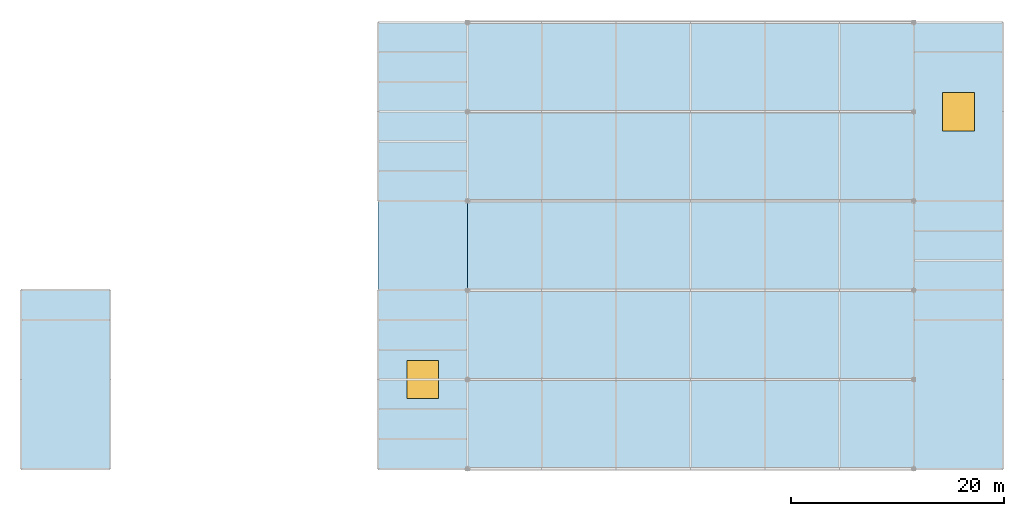
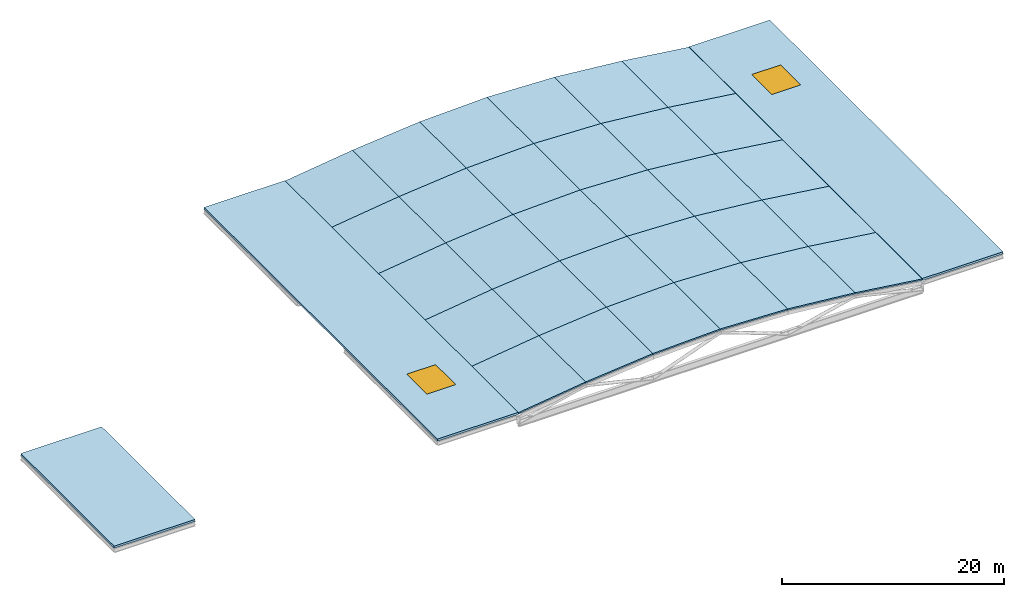
# One storey, part 7 of 11: 33 slabs, 2 windows, 2 openings, 6 elements without a shape of their own.
"""IFC4 building model written with IfcOpenShell, lengths in metres."""

from ifc_helpers import new_model, si_unit, direction, frame, origin, origin_2d, place, context, subcontext, project, spatial, polyline, rectangle, outline, extrude, material, layer, layer_set, type_object, element, fill, aggregate, save


model = new_model("IFC4")

# Units and contexts
model_context = context("Model", 3, precision=1e-05, world=origin(), true_north=direction((0.0, 1.0)))
body_context = subcontext(model_context, "Body", "Model", "MODEL_VIEW")
ifc_project = project(units=[si_unit("LENGTHUNIT", "METRE"), si_unit("AREAUNIT", "SQUARE_METRE"), si_unit("VOLUMEUNIT", "CUBIC_METRE"), si_unit("PLANEANGLEUNIT", "RADIAN"), si_unit("MASSUNIT", "GRAM", prefix="KILO"), si_unit("THERMODYNAMICTEMPERATUREUNIT", "KELVIN"), si_unit("POWERUNIT", "WATT")], contexts=[model_context])

# Site, building, storey
site_placement = place(None, origin())
site = spatial("IfcSite", under=ifc_project, at=site_placement, CompositionType="ELEMENT")
building_placement = place(site_placement, origin())
building = spatial("IfcBuilding", under=site, at=building_placement, Name="Tembeka Court Mobility Hub", CompositionType="ELEMENT")
storey_placement = place(building_placement, frame((0.0, 0.0, 28.800048828125)))
storey = spatial("IfcBuildingStorey", under=building, at=storey_placement, Name="RF", CompositionType="ELEMENT", Elevation=28.800048828125)

# Slab
ifc_material_1 = material(Name="Concrete C40/50", Category="concrete")
ifc_layer_1 = layer(ifc_material_1, 0.22998046875)
ifc_layer_set_1 = layer_set([ifc_layer_1], Name="Concrete C40/50")
slab_type_1 = type_object("IfcSlabType", Name="SL-RF01", PredefinedType="ROOF", material=ifc_layer_set_1)
slab_1_placement = place(storey_placement, frame((0.0, 0.0, -0.22998046875)))
element("IfcSlab", 1, at=slab_1_placement, inside=storey, type_object=slab_type_1, Name="RF K1 stair-and-lift overrun roof slab", PredefinedType="ROOF", context=body_context, shape_type="SweptSolid", body=[
    extrude(outline(polyline([(0.0, 38.39990234375), (8.39990234375, 38.39990234375), (8.39990234375, 55.199951171875), (0.0, 55.199951171875), (0.0, 38.39990234375)])), origin(), (0.0, 0.0, 1.0), 0.22998046875),
])

# Slab, opening, window
slab_2_placement = place(storey_placement, frame((0.0, 0.0, -0.22998046875)))
slab_2 = element("IfcSlab", 2, at=slab_2_placement, inside=storey, type_object=slab_type_1, Name="RF sports pavilion west end-bay roof slab", PredefinedType="ROOF", context=body_context, shape_type="SweptSolid", body=[
    extrude(outline(polyline([(33.60009765625, 38.39990234375), (42.0, 38.39990234375), (42.0, 80.39990234375), (33.60009765625, 80.39990234375), (33.60009765625, 38.39990234375)])), origin(), (0.0, 0.0, 1.0), 0.22998046875),
])
opening_1_placement = place(slab_2_placement, frame((37.800048828125, 46.800048828125, -0.010009765625)))
opening_1 = element("IfcOpeningElement", 3, at=opening_1_placement, cuts=slab_2, Name="Opening SK05", PredefinedType="OPENING", context=body_context, shape_type="SweptSolid", body=[
    extrude(rectangle(XDim=3.0, YDim=3.60009765625, at=origin_2d()), origin(), (0.0, 0.0, 1.0), 0.25),
])
ifc_material_2 = material(Name="Laminated solar-control low-E glass", Category="glass")
window_type = type_object("IfcWindowType", Name="WN-SK05", PartitioningType="SINGLE_PANEL", PredefinedType="SKYLIGHT", material=ifc_material_2)
window_1_placement = place(opening_1_placement, frame((0.0, 0.0, 0.18994140625)))
window_1 = element("IfcWindow", 4, at=window_1_placement, inside=storey, type_object=window_type, Name="Roof skylight SK05-06", OverallHeight=3.60009765625, OverallWidth=3.0, PartitioningType="SINGLE_PANEL", PredefinedType="SKYLIGHT", context=body_context, shape_type="SweptSolid", body=[
    extrude(rectangle(XDim=3.0, YDim=3.60009765625, at=origin_2d()), origin(), (0.0, 0.0, 1.0), 0.050048828125),
])
fill(opening_1, window_1)

slab_3_placement = place(storey_placement, frame((0.0, 0.0, -0.22998046875)))
slab_3 = element("IfcSlab", 5, at=slab_3_placement, inside=storey, type_object=slab_type_1, Name="RF sports pavilion east core roof slab", PredefinedType="ROOF", context=body_context, shape_type="SweptSolid", body=[
    extrude(outline(polyline([(84.0, 38.39990234375), (92.39990234375, 38.39990234375), (92.39990234375, 80.39990234375), (84.0, 80.39990234375), (84.0, 38.39990234375)])), origin(), (0.0, 0.0, 1.0), 0.22998046875),
])
opening_2_placement = place(slab_3_placement, frame((88.199951171875, 72.0, -0.010009765625)))
opening_2 = element("IfcOpeningElement", 6, at=opening_2_placement, cuts=slab_3, Name="Opening SK05", PredefinedType="OPENING", context=body_context, shape_type="SweptSolid", body=[
    extrude(rectangle(XDim=3.0, YDim=3.60009765625, at=origin_2d()), origin(), (0.0, 0.0, 1.0), 0.25),
])
window_2_placement = place(opening_2_placement, frame((0.0, 0.0, 0.18994140625)))
window_2 = element("IfcWindow", 7, at=window_2_placement, inside=storey, type_object=window_type, Name="Roof skylight SK05-07", OverallHeight=3.60009765625, OverallWidth=3.0, PartitioningType="SINGLE_PANEL", PredefinedType="SKYLIGHT", context=body_context, shape_type="SweptSolid", body=[
    extrude(rectangle(XDim=3.0, YDim=3.60009765625, at=origin_2d()), origin(), (0.0, 0.0, 1.0), 0.050048828125),
])
fill(opening_2, window_2)

# Roof, slab
ifc_material_3 = material(Name="Steel S355", Category="steel")
ifc_layer_2 = layer(ifc_material_3, 0.14990234375)
ifc_layer_set_2 = layer_set([ifc_layer_2], Name="Steel S355")
roof_type = type_object("IfcRoofType", Name="RF-VAULT01", PredefinedType="BARREL_ROOF", material=ifc_layer_set_2)
roof_1_placement = place(storey_placement, origin())
roof_1 = element("IfcRoof", 8, at=roof_1_placement, inside=storey, type_object=roof_type, Name="Rooftop sports pavilion barrel-arch roof bay 1", PredefinedType="BARREL_ROOF")
ifc_material_4 = material(Name="Insulated acoustic steel-concrete composite deck C40/50", Category="concrete")
ifc_layer_3 = layer(ifc_material_4, 0.14990234375)
ifc_layer_set_3 = layer_set([ifc_layer_3], Name="Insulated acoustic steel-concrete composite deck C40/50")
slab_type_2 = type_object("IfcSlabType", Name="SL-RF02", PredefinedType="ROOF", material=ifc_layer_set_3)
slab_4_placement = place(storey_placement, frame((42.0, 38.39990234375, -0.0400390625), z_axis=(-0.131010824957, 0.0, 0.991380937755), x_axis=(0.991380937755, 0.0, 0.131010824957)))
slab_4 = element("IfcSlab", 9, at=slab_4_placement, type_object=slab_type_2, Name="Sports hall barrel-vault roof facet 1-1", PredefinedType="ROOF", context=body_context, shape_type="SweptSolid", body=[
    extrude(outline(polyline([(0.0, 0.0), (7.060857974383527, 0.0), (7.060857974383527, 8.400146484375), (0.0, 8.400146484375), (0.0, 0.0)])), origin(), (0.0, 0.0, -1.0), 0.14990234375),
])

roof_2_placement = place(storey_placement, origin())
roof_2 = element("IfcRoof", 10, at=roof_2_placement, inside=storey, type_object=roof_type, Name="Rooftop sports pavilion barrel-arch roof bay 2", PredefinedType="BARREL_ROOF")
slab_5_placement = place(storey_placement, frame((49.0, 38.39990234375, 0.885009765625), z_axis=(-0.096265393497, 0.0, 0.995355702257), x_axis=(0.995355702257, 0.0, 0.096265393497)))
slab_5 = element("IfcSlab", 11, at=slab_5_placement, type_object=slab_type_2, Name="Sports hall barrel-vault roof facet 1-2", PredefinedType="ROOF", context=body_context, shape_type="SweptSolid", body=[
    extrude(outline(polyline([(0.0, 0.0), (7.032661775212502, 0.0), (7.032661775212502, 8.400146484375002), (0.0, 8.400146484375002), (0.0, 0.0)])), origin(), (0.0, 0.0, -1.0), 0.14990234375),
])

roof_3_placement = place(storey_placement, origin())
roof_3 = element("IfcRoof", 12, at=roof_3_placement, inside=storey, type_object=roof_type, Name="Rooftop sports pavilion barrel-arch roof bay 3", PredefinedType="BARREL_ROOF")
slab_6_placement = place(storey_placement, frame((56.0, 38.39990234375, 1.56201171875), z_axis=(-0.035413041494, 0.0, 0.999372761532), x_axis=(0.999372761532, 0.0, 0.035413041494)))
slab_6 = element("IfcSlab", 13, at=slab_6_placement, type_object=slab_type_2, Name="Sports hall barrel-vault roof facet 1-3", PredefinedType="ROOF", context=body_context, shape_type="SweptSolid", body=[
    extrude(outline(polyline([(0.0, 0.0), (7.004393425001003, 0.0), (7.004393425001003, 8.400146484375), (0.0, 8.400146484375), (0.0, 0.0)])), origin(), (0.0, 0.0, -1.0), 0.14990234375),
])

roof_4_placement = place(storey_placement, origin())
roof_4 = element("IfcRoof", 14, at=roof_4_placement, inside=storey, type_object=roof_type, Name="Rooftop sports pavilion barrel-arch roof bay 4", PredefinedType="BARREL_ROOF")
slab_7_placement = place(storey_placement, frame((63.0, 38.39990234375, 1.81005859375), z_axis=(0.035413041494, 0.0, 0.999372761532), x_axis=(0.999372761532, 0.0, -0.035413041494)))
slab_7 = element("IfcSlab", 15, at=slab_7_placement, type_object=slab_type_2, Name="Sports hall barrel-vault roof facet 1-4", PredefinedType="ROOF", context=body_context, shape_type="SweptSolid", body=[
    extrude(outline(polyline([(0.0, 0.0), (7.004393425001003, 0.0), (7.004393425001003, 8.400146484375), (0.0, 8.400146484375), (0.0, 0.0)])), origin(), (0.0, 0.0, -1.0), 0.14990234375),
])

roof_5_placement = place(storey_placement, origin())
roof_5 = element("IfcRoof", 16, at=roof_5_placement, inside=storey, type_object=roof_type, Name="Rooftop sports pavilion barrel-arch roof bay 5", PredefinedType="BARREL_ROOF")
slab_8_placement = place(storey_placement, frame((70.0, 38.39990234375, 1.56201171875), z_axis=(0.096265393497, 0.0, 0.995355702257), x_axis=(0.995355702257, 0.0, -0.096265393497)))
slab_8 = element("IfcSlab", 17, at=slab_8_placement, type_object=slab_type_2, Name="Sports hall barrel-vault roof facet 1-5", PredefinedType="ROOF", context=body_context, shape_type="SweptSolid", body=[
    extrude(outline(polyline([(0.0, 0.0), (7.032661775212502, 0.0), (7.032661775212502, 8.400146484375002), (0.0, 8.400146484375002), (0.0, 0.0)])), origin(), (0.0, 0.0, -1.0), 0.14990234375),
])

roof_6_placement = place(storey_placement, origin())
roof_6 = element("IfcRoof", 18, at=roof_6_placement, inside=storey, type_object=roof_type, Name="Rooftop sports pavilion barrel-arch roof bay 6", PredefinedType="BARREL_ROOF")
slab_9_placement = place(storey_placement, frame((77.0, 38.39990234375, 0.885009765625), z_axis=(0.131010824957, 0.0, 0.991380937755), x_axis=(0.991380937755, 0.0, -0.131010824957)))
slab_9 = element("IfcSlab", 19, at=slab_9_placement, type_object=slab_type_2, Name="Sports hall barrel-vault roof facet 1-6", PredefinedType="ROOF", context=body_context, shape_type="SweptSolid", body=[
    extrude(outline(polyline([(0.0, 0.0), (7.060857974383527, 0.0), (7.060857974383527, 8.400146484375), (0.0, 8.400146484375), (0.0, 0.0)])), origin(), (0.0, 0.0, -1.0), 0.14990234375),
])

# Slab
slab_10_placement = place(storey_placement, frame((42.0, 46.800048828125, -0.0400390625), z_axis=(-0.131010824957, 0.0, 0.991380937755), x_axis=(0.991380937755, 0.0, 0.131010824957)))
slab_10 = element("IfcSlab", 20, at=slab_10_placement, type_object=slab_type_2, Name="Sports hall barrel-vault roof facet 2-1", PredefinedType="ROOF", context=body_context, shape_type="SweptSolid", body=[
    extrude(outline(polyline([(0.0, 0.0), (7.060857974383527, 0.0), (7.060857974383527, 8.39990234375), (0.0, 8.39990234375), (0.0, 0.0)])), origin(), (0.0, 0.0, -1.0), 0.14990234375),
])

slab_11_placement = place(storey_placement, frame((49.0, 46.800048828125, 0.885009765625), z_axis=(-0.096265393497, 0.0, 0.995355702257), x_axis=(0.995355702257, 0.0, 0.096265393497)))
slab_11 = element("IfcSlab", 21, at=slab_11_placement, type_object=slab_type_2, Name="Sports hall barrel-vault roof facet 2-2", PredefinedType="ROOF", context=body_context, shape_type="SweptSolid", body=[
    extrude(outline(polyline([(0.0, 0.0), (7.032661775212502, 0.0), (7.032661775212502, 8.399902343750002), (0.0, 8.399902343750002), (0.0, 0.0)])), origin(), (0.0, 0.0, -1.0), 0.14990234375),
])

slab_12_placement = place(storey_placement, frame((56.0, 46.800048828125, 1.56201171875), z_axis=(-0.035413041494, 0.0, 0.999372761532), x_axis=(0.999372761532, 0.0, 0.035413041494)))
slab_12 = element("IfcSlab", 22, at=slab_12_placement, type_object=slab_type_2, Name="Sports hall barrel-vault roof facet 2-3", PredefinedType="ROOF", context=body_context, shape_type="SweptSolid", body=[
    extrude(outline(polyline([(0.0, 0.0), (7.004393425001003, 0.0), (7.004393425001003, 8.39990234375), (0.0, 8.39990234375), (0.0, 0.0)])), origin(), (0.0, 0.0, -1.0), 0.14990234375),
])

slab_13_placement = place(storey_placement, frame((63.0, 46.800048828125, 1.81005859375), z_axis=(0.035413041494, 0.0, 0.999372761532), x_axis=(0.999372761532, 0.0, -0.035413041494)))
slab_13 = element("IfcSlab", 23, at=slab_13_placement, type_object=slab_type_2, Name="Sports hall barrel-vault roof facet 2-4", PredefinedType="ROOF", context=body_context, shape_type="SweptSolid", body=[
    extrude(outline(polyline([(0.0, 0.0), (7.004393425001003, 0.0), (7.004393425001003, 8.39990234375), (0.0, 8.39990234375), (0.0, 0.0)])), origin(), (0.0, 0.0, -1.0), 0.14990234375),
])

slab_14_placement = place(storey_placement, frame((70.0, 46.800048828125, 1.56201171875), z_axis=(0.096265393497, 0.0, 0.995355702257), x_axis=(0.995355702257, 0.0, -0.096265393497)))
slab_14 = element("IfcSlab", 24, at=slab_14_placement, type_object=slab_type_2, Name="Sports hall barrel-vault roof facet 2-5", PredefinedType="ROOF", context=body_context, shape_type="SweptSolid", body=[
    extrude(outline(polyline([(0.0, 0.0), (7.032661775212502, 0.0), (7.032661775212502, 8.399902343750002), (0.0, 8.399902343750002), (0.0, 0.0)])), origin(), (0.0, 0.0, -1.0), 0.14990234375),
])

slab_15_placement = place(storey_placement, frame((77.0, 46.800048828125, 0.885009765625), z_axis=(0.131010824957, 0.0, 0.991380937755), x_axis=(0.991380937755, 0.0, -0.131010824957)))
slab_15 = element("IfcSlab", 25, at=slab_15_placement, type_object=slab_type_2, Name="Sports hall barrel-vault roof facet 2-6", PredefinedType="ROOF", context=body_context, shape_type="SweptSolid", body=[
    extrude(outline(polyline([(0.0, 0.0), (7.060857974383527, 0.0), (7.060857974383527, 8.39990234375), (0.0, 8.39990234375), (0.0, 0.0)])), origin(), (0.0, 0.0, -1.0), 0.14990234375),
])

slab_16_placement = place(storey_placement, frame((42.0, 55.199951171875, -0.0400390625), z_axis=(-0.131010824957, 0.0, 0.991380937755), x_axis=(0.991380937755, 0.0, 0.131010824957)))
slab_16 = element("IfcSlab", 26, at=slab_16_placement, type_object=slab_type_2, Name="Sports hall barrel-vault roof facet 3-1", PredefinedType="ROOF", context=body_context, shape_type="SweptSolid", body=[
    extrude(outline(polyline([(0.0, 0.0), (7.060857974383527, 0.0), (7.060857974383527, 8.400146484375), (0.0, 8.400146484375), (0.0, 0.0)])), origin(), (0.0, 0.0, -1.0), 0.14990234375),
])

slab_17_placement = place(storey_placement, frame((49.0, 55.199951171875, 0.885009765625), z_axis=(-0.096265393497, 0.0, 0.995355702257), x_axis=(0.995355702257, 0.0, 0.096265393497)))
slab_17 = element("IfcSlab", 27, at=slab_17_placement, type_object=slab_type_2, Name="Sports hall barrel-vault roof facet 3-2", PredefinedType="ROOF", context=body_context, shape_type="SweptSolid", body=[
    extrude(outline(polyline([(0.0, 0.0), (7.032661775212502, 0.0), (7.032661775212502, 8.400146484375002), (0.0, 8.400146484375002), (0.0, 0.0)])), origin(), (0.0, 0.0, -1.0), 0.14990234375),
])

slab_18_placement = place(storey_placement, frame((56.0, 55.199951171875, 1.56201171875), z_axis=(-0.035413041494, 0.0, 0.999372761532), x_axis=(0.999372761532, 0.0, 0.035413041494)))
slab_18 = element("IfcSlab", 28, at=slab_18_placement, type_object=slab_type_2, Name="Sports hall barrel-vault roof facet 3-3", PredefinedType="ROOF", context=body_context, shape_type="SweptSolid", body=[
    extrude(outline(polyline([(0.0, 0.0), (7.004393425001003, 0.0), (7.004393425001003, 8.400146484375), (0.0, 8.400146484375), (0.0, 0.0)])), origin(), (0.0, 0.0, -1.0), 0.14990234375),
])

slab_19_placement = place(storey_placement, frame((63.0, 55.199951171875, 1.81005859375), z_axis=(0.035413041494, 0.0, 0.999372761532), x_axis=(0.999372761532, 0.0, -0.035413041494)))
slab_19 = element("IfcSlab", 29, at=slab_19_placement, type_object=slab_type_2, Name="Sports hall barrel-vault roof facet 3-4", PredefinedType="ROOF", context=body_context, shape_type="SweptSolid", body=[
    extrude(outline(polyline([(0.0, 0.0), (7.004393425001003, 0.0), (7.004393425001003, 8.400146484375), (0.0, 8.400146484375), (0.0, 0.0)])), origin(), (0.0, 0.0, -1.0), 0.14990234375),
])

slab_20_placement = place(storey_placement, frame((70.0, 55.199951171875, 1.56201171875), z_axis=(0.096265393497, 0.0, 0.995355702257), x_axis=(0.995355702257, 0.0, -0.096265393497)))
slab_20 = element("IfcSlab", 30, at=slab_20_placement, type_object=slab_type_2, Name="Sports hall barrel-vault roof facet 3-5", PredefinedType="ROOF", context=body_context, shape_type="SweptSolid", body=[
    extrude(outline(polyline([(0.0, 0.0), (7.032661775212502, 0.0), (7.032661775212502, 8.400146484375002), (0.0, 8.400146484375002), (0.0, 0.0)])), origin(), (0.0, 0.0, -1.0), 0.14990234375),
])

slab_21_placement = place(storey_placement, frame((77.0, 55.199951171875, 0.885009765625), z_axis=(0.131010824957, 0.0, 0.991380937755), x_axis=(0.991380937755, 0.0, -0.131010824957)))
slab_21 = element("IfcSlab", 31, at=slab_21_placement, type_object=slab_type_2, Name="Sports hall barrel-vault roof facet 3-6", PredefinedType="ROOF", context=body_context, shape_type="SweptSolid", body=[
    extrude(outline(polyline([(0.0, 0.0), (7.060857974383527, 0.0), (7.060857974383527, 8.400146484375), (0.0, 8.400146484375), (0.0, 0.0)])), origin(), (0.0, 0.0, -1.0), 0.14990234375),
])

slab_22_placement = place(storey_placement, frame((42.0, 63.60009765625, -0.0400390625), z_axis=(-0.131010824957, 0.0, 0.991380937755), x_axis=(0.991380937755, 0.0, 0.131010824957)))
slab_22 = element("IfcSlab", 32, at=slab_22_placement, type_object=slab_type_2, Name="Sports hall barrel-vault roof facet 4-1", PredefinedType="ROOF", context=body_context, shape_type="SweptSolid", body=[
    extrude(outline(polyline([(0.0, 0.0), (7.060857974383527, 0.0), (7.060857974383527, 8.39990234375), (0.0, 8.39990234375), (0.0, 0.0)])), origin(), (0.0, 0.0, -1.0), 0.14990234375),
])

slab_23_placement = place(storey_placement, frame((49.0, 63.60009765625, 0.885009765625), z_axis=(-0.096265393497, 0.0, 0.995355702257), x_axis=(0.995355702257, 0.0, 0.096265393497)))
slab_23 = element("IfcSlab", 33, at=slab_23_placement, type_object=slab_type_2, Name="Sports hall barrel-vault roof facet 4-2", PredefinedType="ROOF", context=body_context, shape_type="SweptSolid", body=[
    extrude(outline(polyline([(0.0, 0.0), (7.032661775212502, 0.0), (7.032661775212502, 8.399902343750002), (0.0, 8.399902343750002), (0.0, 0.0)])), origin(), (0.0, 0.0, -1.0), 0.14990234375),
])

slab_24_placement = place(storey_placement, frame((56.0, 63.60009765625, 1.56201171875), z_axis=(-0.035413041494, 0.0, 0.999372761532), x_axis=(0.999372761532, 0.0, 0.035413041494)))
slab_24 = element("IfcSlab", 34, at=slab_24_placement, type_object=slab_type_2, Name="Sports hall barrel-vault roof facet 4-3", PredefinedType="ROOF", context=body_context, shape_type="SweptSolid", body=[
    extrude(outline(polyline([(0.0, 0.0), (7.004393425001003, 0.0), (7.004393425001003, 8.39990234375), (0.0, 8.39990234375), (0.0, 0.0)])), origin(), (0.0, 0.0, -1.0), 0.14990234375),
])

slab_25_placement = place(storey_placement, frame((63.0, 63.60009765625, 1.81005859375), z_axis=(0.035413041494, 0.0, 0.999372761532), x_axis=(0.999372761532, 0.0, -0.035413041494)))
slab_25 = element("IfcSlab", 35, at=slab_25_placement, type_object=slab_type_2, Name="Sports hall barrel-vault roof facet 4-4", PredefinedType="ROOF", context=body_context, shape_type="SweptSolid", body=[
    extrude(outline(polyline([(0.0, 0.0), (7.004393425001003, 0.0), (7.004393425001003, 8.39990234375), (0.0, 8.39990234375), (0.0, 0.0)])), origin(), (0.0, 0.0, -1.0), 0.14990234375),
])

slab_26_placement = place(storey_placement, frame((70.0, 63.60009765625, 1.56201171875), z_axis=(0.096265393497, 0.0, 0.995355702257), x_axis=(0.995355702257, 0.0, -0.096265393497)))
slab_26 = element("IfcSlab", 36, at=slab_26_placement, type_object=slab_type_2, Name="Sports hall barrel-vault roof facet 4-5", PredefinedType="ROOF", context=body_context, shape_type="SweptSolid", body=[
    extrude(outline(polyline([(0.0, 0.0), (7.032661775212502, 0.0), (7.032661775212502, 8.399902343750002), (0.0, 8.399902343750002), (0.0, 0.0)])), origin(), (0.0, 0.0, -1.0), 0.14990234375),
])

slab_27_placement = place(storey_placement, frame((77.0, 63.60009765625, 0.885009765625), z_axis=(0.131010824957, 0.0, 0.991380937755), x_axis=(0.991380937755, 0.0, -0.131010824957)))
slab_27 = element("IfcSlab", 37, at=slab_27_placement, type_object=slab_type_2, Name="Sports hall barrel-vault roof facet 4-6", PredefinedType="ROOF", context=body_context, shape_type="SweptSolid", body=[
    extrude(outline(polyline([(0.0, 0.0), (7.060857974383527, 0.0), (7.060857974383527, 8.39990234375), (0.0, 8.39990234375), (0.0, 0.0)])), origin(), (0.0, 0.0, -1.0), 0.14990234375),
])

slab_28_placement = place(storey_placement, frame((42.0, 72.0, -0.0400390625), z_axis=(-0.131010824957, 0.0, 0.991380937755), x_axis=(0.991380937755, 0.0, 0.131010824957)))
slab_28 = element("IfcSlab", 38, at=slab_28_placement, type_object=slab_type_2, Name="Sports hall barrel-vault roof facet 5-1", PredefinedType="ROOF", context=body_context, shape_type="SweptSolid", body=[
    extrude(outline(polyline([(0.0, 0.0), (7.060857974383527, 0.0), (7.060857974383527, 8.39990234375), (0.0, 8.39990234375), (0.0, 0.0)])), origin(), (0.0, 0.0, -1.0), 0.14990234375),
])

aggregate(roof_1, [slab_4, slab_10, slab_16, slab_22, slab_28])

slab_29_placement = place(storey_placement, frame((49.0, 72.0, 0.885009765625), z_axis=(-0.096265393497, 0.0, 0.995355702257), x_axis=(0.995355702257, 0.0, 0.096265393497)))
slab_29 = element("IfcSlab", 39, at=slab_29_placement, type_object=slab_type_2, Name="Sports hall barrel-vault roof facet 5-2", PredefinedType="ROOF", context=body_context, shape_type="SweptSolid", body=[
    extrude(outline(polyline([(0.0, 0.0), (7.032661775212502, 0.0), (7.032661775212502, 8.399902343750002), (0.0, 8.399902343750002), (0.0, 0.0)])), origin(), (0.0, 0.0, -1.0), 0.14990234375),
])

aggregate(roof_2, [slab_5, slab_11, slab_17, slab_23, slab_29])

slab_30_placement = place(storey_placement, frame((56.0, 72.0, 1.56201171875), z_axis=(-0.035413041494, 0.0, 0.999372761532), x_axis=(0.999372761532, 0.0, 0.035413041494)))
slab_30 = element("IfcSlab", 40, at=slab_30_placement, type_object=slab_type_2, Name="Sports hall barrel-vault roof facet 5-3", PredefinedType="ROOF", context=body_context, shape_type="SweptSolid", body=[
    extrude(outline(polyline([(0.0, 0.0), (7.004393425001003, 0.0), (7.004393425001003, 8.39990234375), (0.0, 8.39990234375), (0.0, 0.0)])), origin(), (0.0, 0.0, -1.0), 0.14990234375),
])

aggregate(roof_3, [slab_6, slab_12, slab_18, slab_24, slab_30])

slab_31_placement = place(storey_placement, frame((63.0, 72.0, 1.81005859375), z_axis=(0.035413041494, 0.0, 0.999372761532), x_axis=(0.999372761532, 0.0, -0.035413041494)))
slab_31 = element("IfcSlab", 41, at=slab_31_placement, type_object=slab_type_2, Name="Sports hall barrel-vault roof facet 5-4", PredefinedType="ROOF", context=body_context, shape_type="SweptSolid", body=[
    extrude(outline(polyline([(0.0, 0.0), (7.004393425001003, 0.0), (7.004393425001003, 8.39990234375), (0.0, 8.39990234375), (0.0, 0.0)])), origin(), (0.0, 0.0, -1.0), 0.14990234375),
])

aggregate(roof_4, [slab_7, slab_13, slab_19, slab_25, slab_31])

slab_32_placement = place(storey_placement, frame((70.0, 72.0, 1.56201171875), z_axis=(0.096265393497, 0.0, 0.995355702257), x_axis=(0.995355702257, 0.0, -0.096265393497)))
slab_32 = element("IfcSlab", 42, at=slab_32_placement, type_object=slab_type_2, Name="Sports hall barrel-vault roof facet 5-5", PredefinedType="ROOF", context=body_context, shape_type="SweptSolid", body=[
    extrude(outline(polyline([(0.0, 0.0), (7.032661775212502, 0.0), (7.032661775212502, 8.399902343750002), (0.0, 8.399902343750002), (0.0, 0.0)])), origin(), (0.0, 0.0, -1.0), 0.14990234375),
])

aggregate(roof_5, [slab_8, slab_14, slab_20, slab_26, slab_32])

slab_33_placement = place(storey_placement, frame((77.0, 72.0, 0.885009765625), z_axis=(0.131010824957, 0.0, 0.991380937755), x_axis=(0.991380937755, 0.0, -0.131010824957)))
slab_33 = element("IfcSlab", 43, at=slab_33_placement, type_object=slab_type_2, Name="Sports hall barrel-vault roof facet 5-6", PredefinedType="ROOF", context=body_context, shape_type="SweptSolid", body=[
    extrude(outline(polyline([(0.0, 0.0), (7.060857974383527, 0.0), (7.060857974383527, 8.39990234375), (0.0, 8.39990234375), (0.0, 0.0)])), origin(), (0.0, 0.0, -1.0), 0.14990234375),
])

aggregate(roof_6, [slab_9, slab_15, slab_21, slab_27, slab_33])

save(model, "model.ifc")
